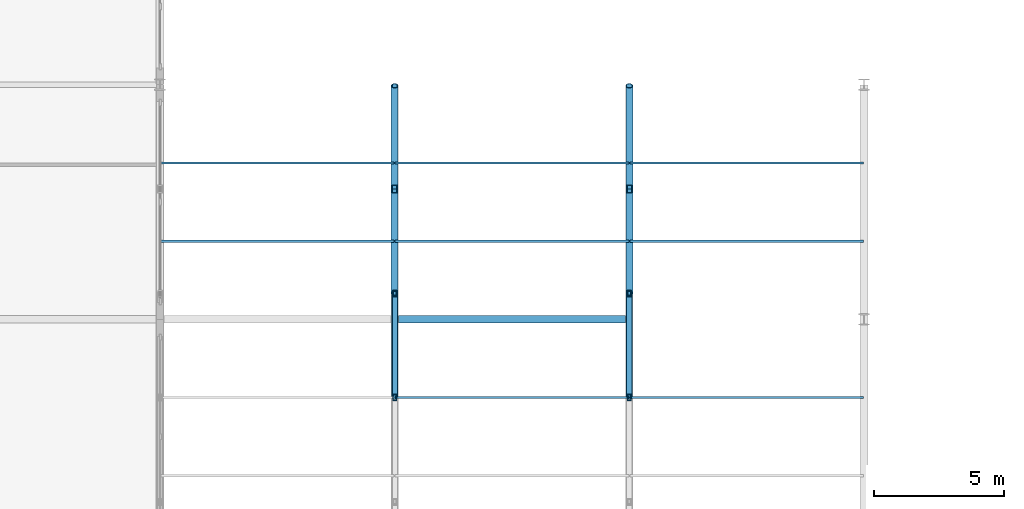
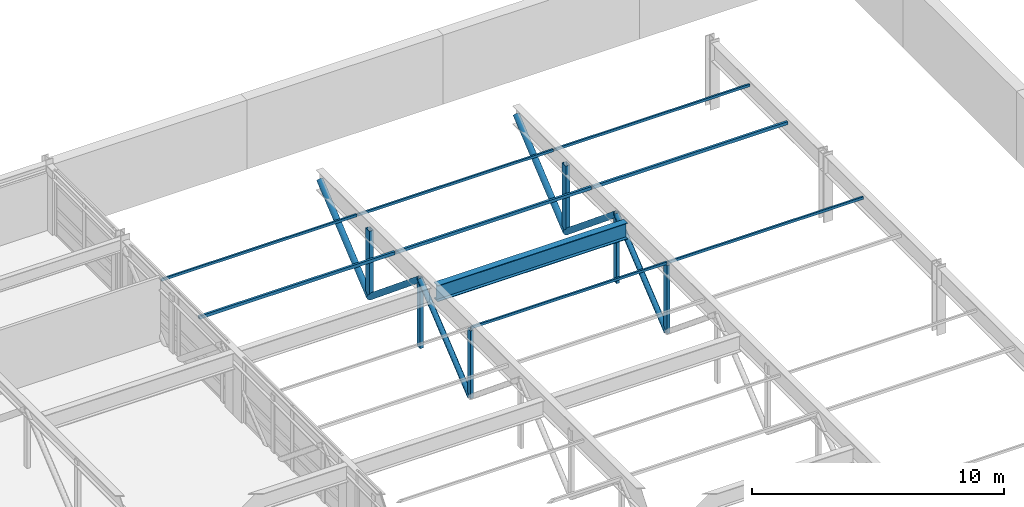
# One storey, part 61 of 91: 20 members, 1 beam.
"""IFC4 building model written with IfcOpenShell, lengths in metres."""

from ifc_helpers import new_model, si_unit, direction, frame, origin, origin_2d, place, context, subcontext, project, spatial, hollow_rectangle, hollow_circle, i_section, extrude, material, material_profile, profile_set, type_object, element, save


model = new_model("IFC4")

# Units and contexts
model_context = context("Model", 3, precision=1e-05, world=origin(), true_north=direction((0.0, 1.0)))
body_context = subcontext(model_context, "Body", "Model", "MODEL_VIEW")
ifc_project = project(units=[si_unit("LENGTHUNIT", "METRE"), si_unit("AREAUNIT", "SQUARE_METRE"), si_unit("VOLUMEUNIT", "CUBIC_METRE"), si_unit("PLANEANGLEUNIT", "RADIAN"), si_unit("MASSUNIT", "GRAM", prefix="KILO")], contexts=[model_context])

# Site, building, storey
site_placement = place(None, origin())
site = spatial("IfcSite", under=ifc_project, at=site_placement, CompositionType="ELEMENT")
building_placement = place(site_placement, origin())
building = spatial("IfcBuilding", under=site, at=building_placement, Name="Palais des Congres Ocreval", CompositionType="ELEMENT")
storey_placement = place(building_placement, frame((0.0, 0.0, 8.159912109375)))
storey = spatial("IfcBuildingStorey", under=building, at=storey_placement, Name="L02", CompositionType="ELEMENT", Elevation=8.159912109375)

# Members
ifc_material = material(Name="Steel S355", Category="steel")
ifc_material_profile_1 = material_profile(ifc_material, hollow_circle(Radius=0.122314453125, WallThickness=0.012451171875, at=origin_2d()), Name="CHS 244.5x12.5")
ifc_profile_set_1 = profile_set([ifc_material_profile_1], Name="Steel S355")
member_type_1 = type_object("IfcMemberType", Name="Diagonal Brace CHS 244.5x12.5 Steel S355", PredefinedType="BRACE", material=ifc_profile_set_1)
for number, where, z_axis, x_axis, name in (
    (1, (135.0, 96.0, -0.5), (0.0, 0.772316531173, 0.635237889044), (-1.0, 0.0, 0.0), "Transfer Truss Web Diagonal V2-135-7"),
    (2, (144.0, 96.0, -0.5), (0.0, 0.772316531173, 0.635237889044), (-1.0, 0.0, 0.0), "Transfer Truss Web Diagonal V2-144-7"),
):
    element("IfcMember", number, at=place(storey_placement, frame(where, z_axis=z_axis, x_axis=x_axis)), inside=storey, type_object=member_type_1, Name=name, PredefinedType="BRACE", context=body_context, shape_type="SweptSolid", body=[
        extrude(hollow_circle(Radius=0.122314453125, WallThickness=0.012451171875, at=origin_2d()), origin(), (0.0, 0.0, 1.0), 5.17919921875),
    ])
ifc_material_profile_2 = material_profile(ifc_material, hollow_circle(Radius=0.136474609375, WallThickness=0.01611328125, at=origin_2d()), Name="CHS 273x16")
ifc_profile_set_2 = profile_set([ifc_material_profile_2], Name="Steel S355")
member_type_2 = type_object("IfcMemberType", Name="Diagonal Brace CHS 273x16 Steel S355", PredefinedType="BRACE", material=ifc_profile_set_2)
member_1_placement = place(storey_placement, frame((135.0, 100.0, 2.7900390625), z_axis=(0.0, 0.772316531173, -0.635237889044), x_axis=(-1.0, 0.0, 0.0)))
element("IfcMember", 3, at=member_1_placement, inside=storey, type_object=member_type_2, Name="Transfer Truss Web Diagonal V2-135-8", PredefinedType="BRACE", context=body_context, shape_type="SweptSolid", body=[
    extrude(hollow_circle(Radius=0.136474609375, WallThickness=0.01611328125, at=origin_2d()), origin(), (0.0, 0.0, 1.0), 5.17919921875),
])
member_2_placement = place(storey_placement, frame((135.0, 104.0, -0.5), z_axis=(0.0, 0.76916885685, 0.639045592781), x_axis=(-1.0, 0.0, 0.0)))
element("IfcMember", 4, at=member_2_placement, inside=storey, type_object=member_type_2, Name="Transfer Truss Web Diagonal V2-135-9", PredefinedType="BRACE", context=body_context, shape_type="SweptSolid", body=[
    extrude(hollow_circle(Radius=0.136474609375, WallThickness=0.01611328125, at=origin_2d()), origin(), (0.0, 0.0, 1.0), 5.1484375),
])
member_3_placement = place(storey_placement, frame((144.0, 100.0, 2.7900390625), z_axis=(0.0, 0.772316531173, -0.635237889044), x_axis=(-1.0, 0.0, 0.0)))
element("IfcMember", 5, at=member_3_placement, inside=storey, type_object=member_type_2, Name="Transfer Truss Web Diagonal V2-144-8", PredefinedType="BRACE", context=body_context, shape_type="SweptSolid", body=[
    extrude(hollow_circle(Radius=0.136474609375, WallThickness=0.01611328125, at=origin_2d()), origin(), (0.0, 0.0, 1.0), 5.17919921875),
])
member_4_placement = place(storey_placement, frame((144.0, 104.0, -0.5), z_axis=(0.0, 0.76916885685, 0.639045592781), x_axis=(-1.0, 0.0, 0.0)))
element("IfcMember", 6, at=member_4_placement, inside=storey, type_object=member_type_2, Name="Transfer Truss Web Diagonal V2-144-9", PredefinedType="BRACE", context=body_context, shape_type="SweptSolid", body=[
    extrude(hollow_circle(Radius=0.136474609375, WallThickness=0.01611328125, at=origin_2d()), origin(), (0.0, 0.0, 1.0), 5.1484375),
])

# Beam
ifc_material_profile_3 = material_profile(ifc_material, i_section(OverallWidth=0.300048828125, OverallDepth=0.7900390625, WebThickness=0.014892578125, FlangeThickness=0.028076171875, at=origin_2d()), Name="HEA 800")
ifc_profile_set_3 = profile_set([ifc_material_profile_3], Name="Steel S355")
beam_type = type_object("IfcBeamType", Name="Long-Span Girder HEA 800 Steel S355", PredefinedType="BEAM", material=ifc_profile_set_3)
beam_placement = place(storey_placement, frame((135.14794921875, 99.0, 2.710205078125), z_axis=(1.0, 0.0, 0.0), x_axis=(0.0, 1.0, 0.0)))
element("IfcBeam", 7, at=beam_placement, inside=storey, type_object=beam_type, Name="Ballroom Truss Tie Girder B15", PredefinedType="BEAM", context=body_context, shape_type="SweptSolid", body=[
    extrude(i_section(OverallWidth=0.300048828125, OverallDepth=0.7900390625, WebThickness=0.014892578125, FlangeThickness=0.028076171875, at=origin_2d()), origin(), (0.0, 0.0, 1.0), 8.7041015625),
])

# Members
ifc_material_profile_4 = material_profile(ifc_material, hollow_rectangle(XDim=0.080078125, YDim=0.1201171875, WallThickness=0.00634765625, at=origin_2d()), Name="RHS 120x80x6.3")
ifc_profile_set_4 = profile_set([ifc_material_profile_4], Name="Steel S355")
member_type_3 = type_object("IfcMemberType", Name="Roof Purlin RHS 120x80x6.3 Steel S355", PredefinedType="PURLIN", material=ifc_profile_set_4)
for number, where, z_axis, x_axis, name in (
    (8, (126.02001953125, 105.0, 2.860107421875), (1.0, 0.0, 0.0), (0.0, 1.0, 0.0), "Sawtooth Roof Purlin PU05"),
    (9, (135.02001953125, 96.0, 2.860107421875), (1.0, 0.0, 0.0), (0.0, 1.0, 0.0), "Sawtooth Roof Purlin PU05"),
    (10, (135.02001953125, 105.0, 2.860107421875), (1.0, 0.0, 0.0), (0.0, 1.0, 0.0), "Sawtooth Roof Purlin PU05"),
    (11, (144.02001953125, 96.0, 2.860107421875), (1.0, 0.0, 0.0), (0.0, 1.0, 0.0), "Sawtooth Roof Purlin PU05"),
    (12, (144.02001953125, 105.0, 2.860107421875), (1.0, 0.0, 0.0), (0.0, 1.0, 0.0), "Sawtooth Roof Purlin PU05"),
):
    element("IfcMember", number, at=place(storey_placement, frame(where, z_axis=z_axis, x_axis=x_axis)), inside=storey, type_object=member_type_3, Name=name, PredefinedType="PURLIN", context=body_context, shape_type="SweptSolid", body=[
        extrude(hollow_rectangle(XDim=0.080078125, YDim=0.1201171875, WallThickness=0.00634765625, at=origin_2d()), origin(), (0.0, 0.0, 1.0), 8.9599609375),
    ])
ifc_material_profile_5 = material_profile(ifc_material, hollow_rectangle(XDim=0.10009765625, YDim=0.14990234375, WallThickness=0.008056640625, at=origin_2d()), Name="RHS 150x100x8")
ifc_profile_set_5 = profile_set([ifc_material_profile_5], Name="Steel S355")
member_type_4 = type_object("IfcMemberType", Name="Roof Purlin RHS 150x100x8 Steel S355", PredefinedType="PURLIN", material=ifc_profile_set_5)
for number, where, z_axis, x_axis, name in (
    (13, (126.02001953125, 102.0, 2.860107421875), (1.0, 0.0, 0.0), (0.0, 1.0, 0.0), "Sawtooth Roof Purlin PU04"),
    (14, (135.02001953125, 102.0, 2.860107421875), (1.0, 0.0, 0.0), (0.0, 1.0, 0.0), "Sawtooth Roof Purlin PU04"),
    (15, (144.02001953125, 102.0, 2.860107421875), (1.0, 0.0, 0.0), (0.0, 1.0, 0.0), "Sawtooth Roof Purlin PU04"),
):
    element("IfcMember", number, at=place(storey_placement, frame(where, z_axis=z_axis, x_axis=x_axis)), inside=storey, type_object=member_type_4, Name=name, PredefinedType="PURLIN", context=body_context, shape_type="SweptSolid", body=[
        extrude(hollow_rectangle(XDim=0.10009765625, YDim=0.14990234375, WallThickness=0.008056640625, at=origin_2d()), origin(), (0.0, 0.0, 1.0), 8.9599609375),
    ])
ifc_material_profile_6 = material_profile(ifc_material, hollow_rectangle(XDim=0.14990234375, YDim=0.25, WallThickness=0.012451171875, at=origin_2d()), Name="RHS 250x150x12.5")
ifc_profile_set_6 = profile_set([ifc_material_profile_6], Name="Steel S355")
member_type_5 = type_object("IfcMemberType", Name="Truss Strut RHS 250x150x12.5 Steel S355", PredefinedType="STRUT", material=ifc_profile_set_6)
for number, where, z_axis, x_axis, name in (
    (16, (135.0, 96.0, -0.5), (0.0, 0.0, 1.0), (1.0, 0.0, 0.0), "Transfer Truss Vertical Post V2-135-6"),
    (17, (135.0, 100.0, -0.5), (0.0, 0.0, 1.0), (1.0, 0.0, 0.0), "Transfer Truss Vertical Post V2-135-7"),
    (18, (144.0, 96.0, -0.5), (0.0, 0.0, 1.0), (1.0, 0.0, 0.0), "Transfer Truss Vertical Post V2-144-6"),
    (19, (144.0, 100.0, -0.5), (0.0, 0.0, 1.0), (1.0, 0.0, 0.0), "Transfer Truss Vertical Post V2-144-7"),
):
    element("IfcMember", number, at=place(storey_placement, frame(where, z_axis=z_axis, x_axis=x_axis)), inside=storey, type_object=member_type_5, Name=name, PredefinedType="STRUT", context=body_context, shape_type="SweptSolid", body=[
        extrude(hollow_rectangle(XDim=0.14990234375, YDim=0.25, WallThickness=0.012451171875, at=origin_2d()), origin(), (0.0, 0.0, 1.0), 3.2900390625),
    ])
ifc_material_profile_7 = material_profile(ifc_material, hollow_rectangle(XDim=0.199951171875, YDim=0.300048828125, WallThickness=0.012451171875, at=origin_2d()), Name="RHS 300x200x12.5")
ifc_profile_set_7 = profile_set([ifc_material_profile_7], Name="Steel S355")
member_type_6 = type_object("IfcMemberType", Name="Truss Strut RHS 300x200x12.5 Steel S355", PredefinedType="STRUT", material=ifc_profile_set_7)
for number, where, z_axis, x_axis, name in (
    (20, (135.0, 104.0, -0.5), (0.0, 0.0, 1.0), (1.0, 0.0, 0.0), "Transfer Truss Vertical Post V2-135-8"),
    (21, (144.0, 104.0, -0.5), (0.0, 0.0, 1.0), (1.0, 0.0, 0.0), "Transfer Truss Vertical Post V2-144-8"),
):
    element("IfcMember", number, at=place(storey_placement, frame(where, z_axis=z_axis, x_axis=x_axis)), inside=storey, type_object=member_type_6, Name=name, PredefinedType="STRUT", context=body_context, shape_type="SweptSolid", body=[
        extrude(hollow_rectangle(XDim=0.199951171875, YDim=0.300048828125, WallThickness=0.012451171875, at=origin_2d()), origin(), (0.0, 0.0, 1.0), 3.2900390625),
    ])

save(model, "model.ifc")
